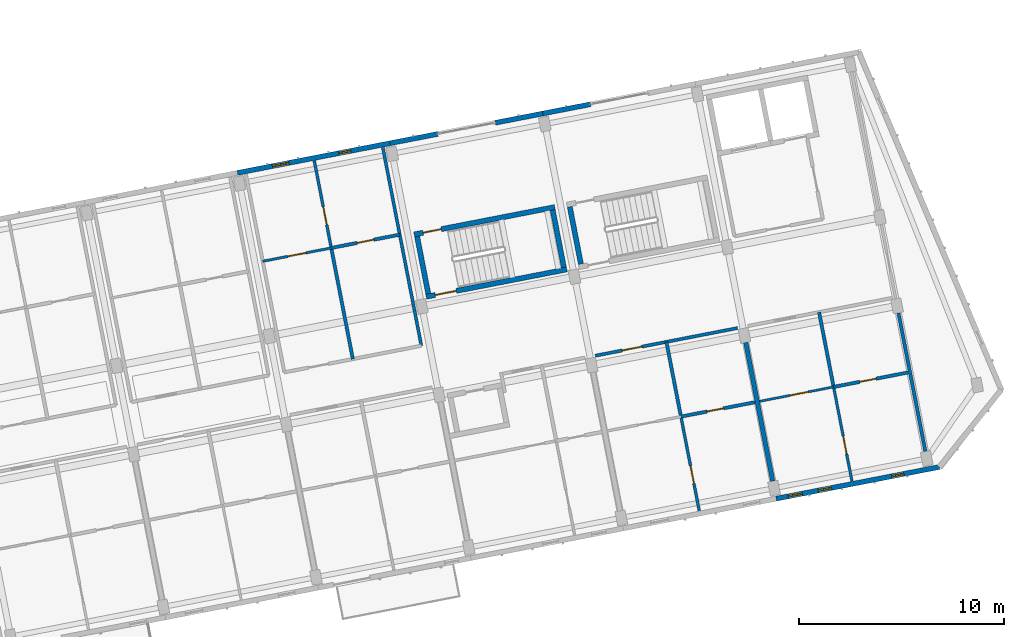
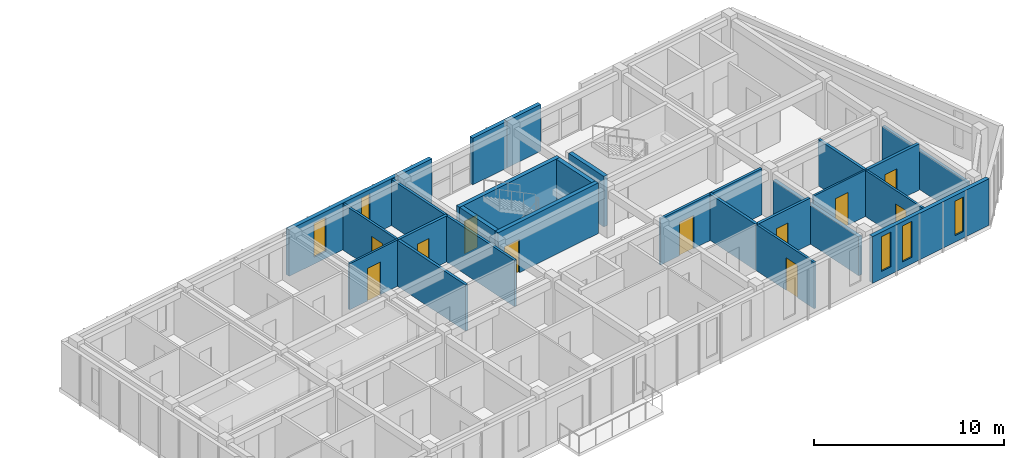
# One storey, part 35 of 66: 25 walls, 11 doors, 5 windows, 16 openings.
"""IFC4 building model written with IfcOpenShell, lengths in metres."""

from ifc_helpers import new_model, si_unit, direction, frame, frame_2d, origin, place, context, subcontext, project, spatial, rectangle, extrude, material, layer, layer_set, type_object, element, fill, save


model = new_model("IFC4")

# Units and contexts
model_context = context("Model", 3, precision=1e-05, world=origin(), true_north=direction((0.0, 1.0)))
body_context = subcontext(model_context, "Body", "Model", "MODEL_VIEW")
ifc_project = project(units=[si_unit("LENGTHUNIT", "METRE"), si_unit("AREAUNIT", "SQUARE_METRE"), si_unit("VOLUMEUNIT", "CUBIC_METRE"), si_unit("PLANEANGLEUNIT", "RADIAN"), si_unit("MASSUNIT", "GRAM", prefix="KILO")], contexts=[model_context])

# Site, building, storey
site_placement = place(None, origin())
site = spatial("IfcSite", under=ifc_project, at=site_placement, CompositionType="ELEMENT")
building_placement = place(site_placement, origin())
building = spatial("IfcBuilding", under=site, at=building_placement, Name="Kestramere Prow Commons", CompositionType="ELEMENT")
storey_placement = place(building_placement, frame((0.0, 0.0, 14.89990234375)))
storey = spatial("IfcBuildingStorey", under=building, at=storey_placement, Name="L04", CompositionType="ELEMENT", Elevation=14.89990234375)

# Wall, openings, windows
ifc_material_1 = material(Name="Fluoropolymer Standing-Seam Zinc-Aluminium Cladding", Category="aluminium")
ifc_layer_1 = layer(ifc_material_1, 0.239990234375)
ifc_layer_set_1 = layer_set([ifc_layer_1], Name="Fluoropolymer Standing-Seam Zinc-Aluminium Cladding")
wall_type_1 = type_object("IfcWallType", Name="EW-SEAM-240", PredefinedType="SOLIDWALL", material=ifc_layer_set_1)
wall_1_placement = place(storey_placement, frame((163.77783203125, 42.28564453125, 0.0), z_axis=(0.0, 0.0, 1.0), x_axis=(-0.981628367112, -0.190802905848, 0.0)))
wall_1 = element("IfcWall", 1, at=wall_1_placement, inside=storey, type_object=wall_type_1, Name="Block D L04 South Standing-Seam Wall 6", PredefinedType="SOLIDWALL", context=body_context, shape_type="SweptSolid", body=[
    extrude(rectangle(XDim=8.125, YDim=0.239990234375, at=frame_2d((4.0625, 0.0))), origin(), (0.0, 0.0, 1.0), 3.0),
])
opening_1_placement = place(wall_1_placement, frame((1.77294921875, 0.0, 0.419921875)))
opening_1 = element("IfcOpeningElement", 2, at=opening_1_placement, cuts=wall_1, Name="Opening WN-02", PredefinedType="OPENING", context=body_context, shape_type="SweptSolid", body=[
    extrude(rectangle(XDim=0.60009765625, YDim=2.219970703125, at=frame_2d((0.300048828125, 1.10986328125))), frame((0.0, 0.135009765625, 0.0), z_axis=(0.0, -1.0, 0.0), x_axis=(1.0, 0.0, 0.0)), (0.0, 0.0, 1.0), 0.27001953125),
])
opening_2_placement = place(wall_1_placement, frame((5.373046875, 0.0, 0.419921875)))
opening_2 = element("IfcOpeningElement", 3, at=opening_2_placement, cuts=wall_1, Name="Opening WN-05", PredefinedType="OPENING", context=body_context, shape_type="SweptSolid", body=[
    extrude(rectangle(XDim=0.659912109375, YDim=2.320068359375, at=frame_2d((0.330078125, 1.16015625))), frame((0.0, 0.135009765625, 0.0), z_axis=(0.0, -1.0, 0.0), x_axis=(1.0, 0.0, 0.0)), (0.0, 0.0, 1.0), 0.27001953125),
])
opening_3_placement = place(wall_1_placement, frame((6.8349609375, 0.0, 0.47998046875)))
opening_3 = element("IfcOpeningElement", 4, at=opening_3_placement, cuts=wall_1, Name="Opening WN-06", PredefinedType="OPENING", context=body_context, shape_type="SweptSolid", body=[
    extrude(rectangle(XDim=0.679931640625, YDim=2.239990234375, at=frame_2d((0.33984375, 1.1201171875))), frame((0.0, 0.135009765625, 0.0), z_axis=(0.0, -1.0, 0.0), x_axis=(1.0, 0.0, 0.0)), (0.0, 0.0, 1.0), 0.27001953125),
])
ifc_material_2 = material(Name="Low-E Laminated Double Glazing", Category="glass")
window_type_1 = type_object("IfcWindowType", Name="WN-NAR-600A", PartitioningType="SINGLE_PANEL", PredefinedType="WINDOW", material=ifc_material_2)
window_1_placement = place(opening_1_placement, origin())
window_1 = element("IfcWindow", 5, at=window_1_placement, inside=storey, type_object=window_type_1, Name="WN-D-L04-S-5-00", OverallHeight=2.219970703125, OverallWidth=0.60009765625, PartitioningType="SINGLE_PANEL", PredefinedType="WINDOW", context=body_context, shape_type="SweptSolid", body=[
    extrude(rectangle(XDim=0.60009765625, YDim=2.219970703125, at=frame_2d((0.300048828125, 1.10986328125))), frame((0.0, 0.030029296875, 0.0), z_axis=(0.0, -1.0, 0.0), x_axis=(1.0, 0.0, 0.0)), (0.0, 0.0, 1.0), 0.06005859375),
])
fill(opening_1, window_1)
window_type_2 = type_object("IfcWindowType", Name="WN-NAR-660A", PartitioningType="SINGLE_PANEL", PredefinedType="WINDOW", material=ifc_material_2)
window_2_placement = place(opening_2_placement, origin())
window_2 = element("IfcWindow", 6, at=window_2_placement, inside=storey, type_object=window_type_2, Name="WN-D-L04-S-5-10", OverallHeight=2.320068359375, OverallWidth=0.659912109375, PartitioningType="SINGLE_PANEL", PredefinedType="WINDOW", context=body_context, shape_type="SweptSolid", body=[
    extrude(rectangle(XDim=0.659912109375, YDim=2.320068359375, at=frame_2d((0.330078125, 1.16015625))), frame((0.0, 0.030029296875, 0.0), z_axis=(0.0, -1.0, 0.0), x_axis=(1.0, 0.0, 0.0)), (0.0, 0.0, 1.0), 0.06005859375),
])
fill(opening_2, window_2)
window_type_3 = type_object("IfcWindowType", Name="WN-NAR-680A", PartitioningType="SINGLE_PANEL", PredefinedType="WINDOW", material=ifc_material_2)
window_3_placement = place(opening_3_placement, origin())
window_3 = element("IfcWindow", 7, at=window_3_placement, inside=storey, type_object=window_type_3, Name="WN-D-L04-S-5-11", OverallHeight=2.239990234375, OverallWidth=0.679931640625, PartitioningType="SINGLE_PANEL", PredefinedType="WINDOW", context=body_context, shape_type="SweptSolid", body=[
    extrude(rectangle(XDim=0.679931640625, YDim=2.239990234375, at=frame_2d((0.33984375, 1.1201171875))), frame((0.0, 0.030029296875, 0.0), z_axis=(0.0, -1.0, 0.0), x_axis=(1.0, 0.0, 0.0)), (0.0, 0.0, 1.0), 0.06005859375),
])
fill(opening_3, window_3)

wall_2_placement = place(storey_placement, frame((129.480712890625, 56.655517578125, 0.0), z_axis=(0.0, 0.0, 1.0), x_axis=(0.981626422232, 0.190812911449, 0.0)))
wall_2 = element("IfcWall", 8, at=wall_2_placement, inside=storey, type_object=wall_type_1, Name="Block D L04 North Standing-Seam Wall 3", PredefinedType="SOLIDWALL", context=body_context, shape_type="SweptSolid", body=[
    extrude(rectangle(XDim=7.60009765625, YDim=0.239990234375, at=frame_2d((3.800048828125, 0.0))), origin(), (0.0, 0.0, 1.0), 3.0),
])
opening_4_placement = place(wall_2_placement, frame((1.7451171875, 0.0, 0.43994140625)))
opening_4 = element("IfcOpeningElement", 9, at=opening_4_placement, cuts=wall_2, Name="Opening WN-13", PredefinedType="OPENING", context=body_context, shape_type="SweptSolid", body=[
    extrude(rectangle(XDim=0.820068359375, YDim=2.179931640625, at=frame_2d((0.41015625, 1.08984375))), frame((0.0, 0.135009765625, 0.0), z_axis=(0.0, -1.0, 0.0), x_axis=(1.0, 0.0, 0.0)), (0.0, 0.0, 1.0), 0.27001953125),
])
opening_5_placement = place(wall_2_placement, frame((5.049560546875, 0.0, 0.5)))
opening_5 = element("IfcOpeningElement", 10, at=opening_5_placement, cuts=wall_2, Name="Opening WN-02", PredefinedType="OPENING", context=body_context, shape_type="SweptSolid", body=[
    extrude(rectangle(XDim=0.60009765625, YDim=2.219970703125, at=frame_2d((0.300048828125, 1.10986328125))), frame((0.0, 0.135009765625, 0.0), z_axis=(0.0, -1.0, 0.0), x_axis=(1.0, 0.0, 0.0)), (0.0, 0.0, 1.0), 0.27001953125),
])
window_4_placement = place(opening_5_placement, origin())
window_4 = element("IfcWindow", 11, at=window_4_placement, inside=storey, type_object=window_type_1, Name="WN-D-L04-N-2-1", OverallHeight=2.219970703125, OverallWidth=0.60009765625, PartitioningType="SINGLE_PANEL", PredefinedType="WINDOW", context=body_context, shape_type="SweptSolid", body=[
    extrude(rectangle(XDim=0.60009765625, YDim=2.219970703125, at=frame_2d((0.300048828125, 1.10986328125))), frame((0.0, 0.030029296875, 0.0), z_axis=(0.0, -1.0, 0.0), x_axis=(1.0, 0.0, 0.0)), (0.0, 0.0, 1.0), 0.06005859375),
])
fill(opening_5, window_4)
window_type_4 = type_object("IfcWindowType", Name="WN-NAR-820A", PartitioningType="DOUBLE_PANEL_VERTICAL", PredefinedType="WINDOW", material=ifc_material_2)
window_5_placement = place(opening_4_placement, origin())
window_5 = element("IfcWindow", 12, at=window_5_placement, inside=storey, type_object=window_type_4, Name="WN-D-L04-N-2-0", OverallHeight=2.179931640625, OverallWidth=0.820068359375, PartitioningType="SINGLE_PANEL", PredefinedType="WINDOW", context=body_context, shape_type="SweptSolid", body=[
    extrude(rectangle(XDim=0.820068359375, YDim=2.179931640625, at=frame_2d((0.41015625, 1.08984375))), frame((0.0, 0.030029296875, 0.0), z_axis=(0.0, -1.0, 0.0), x_axis=(1.0, 0.0, 0.0)), (0.0, 0.0, 1.0), 0.06005859375),
])
fill(opening_4, window_5)

# Walls
for number, where, z_axis, x_axis, name in (
    (13, (136.941162109375, 58.105712890625, 0.0), (0.0, 0.0, 1.0), (0.981629832251, 0.190795367961, 0.0), "Block D L04 North Standing-Seam Pier 4L"),
    (14, (142.070068359375, 59.102783203125, 0.0), (0.0, 0.0, 1.0), (0.981629832251, 0.190795367961, 0.0), "Block D L04 North Standing-Seam Pier 4R"),
):
    element("IfcWall", number, at=place(storey_placement, frame(where, z_axis=z_axis, x_axis=x_axis)), inside=storey, type_object=wall_type_1, Name=name, PredefinedType="SOLIDWALL", context=body_context, shape_type="SweptSolid", body=[
        extrude(rectangle(XDim=2.375, YDim=0.239990234375, at=frame_2d((1.1875, 0.0))), origin(), (0.0, 0.0, 1.0), 3.0),
    ])
wall_3_placement = place(storey_placement, frame((144.4013671875, 59.555908203125, 0.0), z_axis=(0.0, 0.0, 1.0), x_axis=(0.981633573872, 0.190776116556, 0.0)))
element("IfcWall", 15, at=wall_3_placement, inside=storey, type_object=wall_type_1, Name="Block D L04 North Standing-Seam Pier 5L", PredefinedType="SOLIDWALL", context=body_context, shape_type="SweptSolid", body=[
    extrude(rectangle(XDim=2.375244140625, YDim=0.239990234375, at=frame_2d((1.1875, 0.0))), origin(), (0.0, 0.0, 1.0), 3.0),
])

# Wall, opening, door
ifc_material_3 = material(Name="Concrete C40/50", Category="concrete")
ifc_layer_2 = layer(ifc_material_3, 0.25)
ifc_layer_set_2 = layer_set([ifc_layer_2], Name="Concrete C40/50")
wall_type_2 = type_object("IfcWallType", Name="W-CORE-250", PredefinedType="SHEAR", material=ifc_layer_set_2)
wall_4_placement = place(storey_placement, frame((138.11328125, 53.6474609375, 0.0), z_axis=(0.0, 0.0, 1.0), x_axis=(0.981626097708, 0.19081458094, 0.0)))
wall_4 = element("IfcWall", 16, at=wall_4_placement, inside=storey, type_object=wall_type_2, Name="ST-D1 L04 North Shaft Wall", PredefinedType="SHEAR", context=body_context, shape_type="SweptSolid", body=[
    extrude(rectangle(XDim=7.0, YDim=0.25, at=frame_2d((3.5, 0.0))), origin(), (0.0, 0.0, 1.0), 3.25),
])
opening_6_placement = place(wall_4_placement, frame((0.449951171875, 0.0, 0.0)))
opening_6 = element("IfcOpeningElement", 17, at=opening_6_placement, cuts=wall_4, Name="Opening ID-08", PredefinedType="OPENING", context=body_context, shape_type="SweptSolid", body=[
    extrude(rectangle(XDim=0.89990234375, YDim=2.10009765625, at=frame_2d((0.449951171875, 1.050048828125))), frame((0.0, 0.139892578125, 0.0), z_axis=(0.0, -1.0, 0.0), x_axis=(1.0, 0.0, 0.0)), (0.0, 0.0, 1.0), 0.280029296875),
])
ifc_material_4 = material(Name="Engineered Timber Flush Door", Category="wood")
door_type_1 = type_object("IfcDoorType", Name="D-RM-01", OperationType="NOTDEFINED", PredefinedType="DOOR", material=ifc_material_4)
door_1_placement = place(opening_6_placement, origin())
door_1 = element("IfcDoor", 18, at=door_1_placement, inside=storey, type_object=door_type_1, Name="ST-D1 L04 North Room Door", OperationType="SINGLE_SWING_RIGHT", OverallHeight=2.10009765625, OverallWidth=0.89990234375, PredefinedType="DOOR", context=body_context, shape_type="SweptSolid", body=[
    extrude(rectangle(XDim=0.89990234375, YDim=2.10009765625, at=frame_2d((0.449951171875, 1.050048828125))), frame((0.0, 0.02490234375, 0.0), z_axis=(0.0, -1.0, 0.0), x_axis=(1.0, 0.0, 0.0)), (0.0, 0.0, 1.0), 0.050048828125),
])
fill(opening_6, door_1)

wall_5_placement = place(storey_placement, frame((138.704833984375, 50.6044921875, 0.0), z_axis=(0.0, 0.0, 1.0), x_axis=(0.981626097708, 0.19081458094, 0.0)))
wall_5 = element("IfcWall", 19, at=wall_5_placement, inside=storey, type_object=wall_type_2, Name="ST-D1 L04 Corridor Shaft Wall", PredefinedType="SHEAR", context=body_context, shape_type="SweptSolid", body=[
    extrude(rectangle(XDim=7.0, YDim=0.25, at=frame_2d((3.5, 0.0))), origin(), (0.0, 0.0, 1.0), 3.25),
])
opening_7_placement = place(wall_5_placement, frame((0.449951171875, 0.0, 0.0)))
opening_7 = element("IfcOpeningElement", 20, at=opening_7_placement, cuts=wall_5, Name="Opening ID-01", PredefinedType="OPENING", context=body_context, shape_type="SweptSolid", body=[
    extrude(rectangle(XDim=1.050048828125, YDim=2.14990234375, at=frame_2d((0.52490234375, 1.074951171875))), frame((0.0, 0.139892578125, 0.0), z_axis=(0.0, -1.0, 0.0), x_axis=(1.0, 0.0, 0.0)), (0.0, 0.0, 1.0), 0.280029296875),
])
ifc_material_5 = material(Name="Fire-Rated Timber and Steel Frame", Category="steel")
door_type_2 = type_object("IfcDoorType", Name="FD-ST-01", OperationType="NOTDEFINED", PredefinedType="DOOR", material=ifc_material_5)
door_2_placement = place(opening_7_placement, origin())
door_2 = element("IfcDoor", 21, at=door_2_placement, inside=storey, type_object=door_type_2, Name="ST-D1 L04 Protected Stair Door", OperationType="SINGLE_SWING_LEFT", OverallHeight=2.14990234375, OverallWidth=1.050048828125, PredefinedType="DOOR", context=body_context, shape_type="SweptSolid", body=[
    extrude(rectangle(XDim=1.050048828125, YDim=2.14990234375, at=frame_2d((0.52490234375, 1.074951171875))), frame((0.0, 0.02490234375, 0.0), z_axis=(0.0, -1.0, 0.0), x_axis=(1.0, 0.0, 0.0)), (0.0, 0.0, 1.0), 0.050048828125),
])
fill(opening_7, door_2)

# Walls
wall_6_placement = place(storey_placement, frame((138.8037109375, 50.7509765625, 0.0), z_axis=(0.0, 0.0, 1.0), x_axis=(-0.190858194834, 0.981617618762, 0.0)))
element("IfcWall", 22, at=wall_6_placement, inside=storey, type_object=wall_type_2, Name="ST-D1 L04 Near Shaft Wall", PredefinedType="SHEAR", context=body_context, shape_type="SweptSolid", body=[
    extrude(rectangle(XDim=2.85009765625, YDim=0.25, at=frame_2d((1.425048828125, 0.0))), origin(), (0.0, 0.0, 1.0), 3.25),
])
wall_7_placement = place(storey_placement, frame((145.4296875, 52.038818359375, 0.0), z_axis=(0.0, 0.0, 1.0), x_axis=(-0.190842147128, 0.981620738819, 0.0)))
element("IfcWall", 23, at=wall_7_placement, inside=storey, type_object=wall_type_2, Name="ST-D1 L04 Far Shaft Wall", PredefinedType="SHEAR", context=body_context, shape_type="SweptSolid", body=[
    extrude(rectangle(XDim=2.850341796875, YDim=0.25, at=frame_2d((1.42529296875, 0.0))), origin(), (0.0, 0.0, 1.0), 3.25),
])
wall_8_placement = place(storey_placement, frame((146.263916015625, 52.201171875, 0.0), z_axis=(0.0, 0.0, 1.0), x_axis=(-0.190775649797, 0.981633664584, 0.0)))
element("IfcWall", 24, at=wall_8_placement, inside=storey, type_object=wall_type_2, Name="ST-D2 L04 Near Shaft Wall", PredefinedType="SHEAR", context=body_context, shape_type="SweptSolid", body=[
    extrude(rectangle(XDim=2.849853515625, YDim=0.25, at=frame_2d((1.4248046875, 0.0))), origin(), (0.0, 0.0, 1.0), 3.25),
])

# Wall, opening, door
ifc_material_6 = material(Name="Fire-Rated Calcium Silicate Wall")
ifc_layer_3 = layer(ifc_material_6, 0.155029296875)
ifc_layer_set_3 = layer_set([ifc_layer_3], Name="Fire-Rated Calcium Silicate Wall")
wall_type_3 = type_object("IfcWallType", Name="W-FIRE-150", PredefinedType="PARTITIONING", material=ifc_layer_set_3)
wall_9_placement = place(storey_placement, frame((146.96630859375, 47.722900390625, 0.0), z_axis=(0.0, 0.0, 1.0), x_axis=(0.981629923556, 0.190794898199, 0.0)))
wall_9 = element("IfcWall", 25, at=wall_9_placement, inside=storey, type_object=wall_type_3, Name="Interior Partition PW-D-L04-CS-4", PredefinedType="PARTITIONING", context=body_context, shape_type="SweptSolid", body=[
    extrude(rectangle(XDim=7.080078125, YDim=0.155029296875, at=frame_2d((3.5400390625, 0.0))), origin(), (0.0, 0.0, 1.0), 2.97021484375),
])
opening_8_placement = place(wall_9_placement, frame((1.330078125, 0.0, 0.0)))
opening_8 = element("IfcOpeningElement", 26, at=opening_8_placement, cuts=wall_9, Name="Opening ID-04", PredefinedType="OPENING", context=body_context, shape_type="SweptSolid", body=[
    extrude(rectangle(XDim=0.97998046875, YDim=2.14990234375, at=frame_2d((0.489990234375, 1.074951171875))), frame((0.0, 0.092529296875, 0.0), z_axis=(0.0, -1.0, 0.0), x_axis=(1.0, 0.0, 0.0)), (0.0, 0.0, 1.0), 0.18505859375),
])
ifc_material_7 = material(Name="Hardwood Fire-Rated Flat Entrance Door", Category="wood")
door_type_3 = type_object("IfcDoorType", Name="FD-ENT-01", OperationType="NOTDEFINED", PredefinedType="DOOR", material=ifc_material_7)
door_3_placement = place(opening_8_placement, origin())
door_3 = element("IfcDoor", 27, at=door_3_placement, inside=storey, type_object=door_type_3, Name="Interior Door DR-D-L04-ENT-S4", OperationType="SINGLE_SWING_LEFT", OverallHeight=2.14990234375, OverallWidth=0.97998046875, PredefinedType="DOOR", context=body_context, shape_type="SweptSolid", body=[
    extrude(rectangle(XDim=0.97998046875, YDim=2.14990234375, at=frame_2d((0.489990234375, 1.074951171875))), frame((0.0, 0.02490234375, 0.0), z_axis=(0.0, -1.0, 0.0), x_axis=(1.0, 0.0, 0.0)), (0.0, 0.0, 1.0), 0.050048828125),
])
fill(opening_8, door_3)

ifc_material_8 = material(Name="Gypsum Acoustic Drywall")
ifc_layer_4 = layer(ifc_material_8, 0.110107421875)
ifc_layer_set_4 = layer_set([ifc_layer_4], Name="Gypsum Acoustic Drywall")
wall_type_4 = type_object("IfcWallType", Name="W-PART-110", PredefinedType="PARTITIONING", material=ifc_layer_set_4)
wall_10_placement = place(storey_placement, frame((154.994140625, 45.49365234375, 0.0), z_axis=(0.0, 0.0, 1.0), x_axis=(0.981628834294, 0.190800502313, 0.0)))
wall_10 = element("IfcWall", 28, at=wall_10_placement, inside=storey, type_object=wall_type_4, Name="Interior Partition PW-D-L04-MIDS1-5", PredefinedType="PARTITIONING", context=body_context, shape_type="SweptSolid", body=[
    extrude(rectangle(XDim=3.68505859375, YDim=0.110107421875, at=frame_2d((1.842529296875, 0.0))), origin(), (0.0, 0.0, 1.0), 2.97021484375),
])
opening_9_placement = place(wall_10_placement, frame((1.52490234375, 0.0, 0.0)))
opening_9 = element("IfcOpeningElement", 29, at=opening_9_placement, cuts=wall_10, Name="Opening ID-08", PredefinedType="OPENING", context=body_context, shape_type="SweptSolid", body=[
    extrude(rectangle(XDim=0.89990234375, YDim=2.10009765625, at=frame_2d((0.449951171875, 1.050048828125))), frame((0.0, 0.070068359375, 0.0), z_axis=(0.0, -1.0, 0.0), x_axis=(1.0, 0.0, 0.0)), (0.0, 0.0, 1.0), 0.14013671875),
])
door_4_placement = place(opening_9_placement, origin())
door_4 = element("IfcDoor", 30, at=door_4_placement, inside=storey, type_object=door_type_1, Name="Interior Door DR-D-L04-KL-S5", OperationType="SINGLE_SWING_RIGHT", OverallHeight=2.10009765625, OverallWidth=0.89990234375, PredefinedType="DOOR", context=body_context, shape_type="SweptSolid", body=[
    extrude(rectangle(XDim=0.89990234375, YDim=2.10009765625, at=frame_2d((0.449951171875, 1.050048828125))), frame((0.0, 0.02490234375, 0.0), z_axis=(0.0, -1.0, 0.0), x_axis=(1.0, 0.0, 0.0)), (0.0, 0.0, 1.0), 0.050048828125),
])
fill(opening_9, door_4)

ifc_material_9 = material(Name="Lightweight Blockwork and Plaster", Category="masonry")
ifc_layer_5 = layer(ifc_material_9, 0.1201171875)
ifc_layer_set_5 = layer_set([ifc_layer_5], Name="Lightweight Blockwork and Plaster")
wall_type_5 = type_object("IfcWallType", Name="W-PART-120", PredefinedType="PARTITIONING", material=ifc_layer_set_5)
wall_11_placement = place(storey_placement, frame((130.71728515625, 52.337158203125, 0.0), z_axis=(0.0, 0.0, 1.0), x_axis=(0.981629173664, 0.190798756314, 0.0)))
wall_11 = element("IfcWall", 31, at=wall_11_placement, inside=storey, type_object=wall_type_5, Name="Interior Partition PW-D-L04-MIDN1-2", PredefinedType="PARTITIONING", context=body_context, shape_type="SweptSolid", body=[
    extrude(rectangle(XDim=3.41015625, YDim=0.1201171875, at=frame_2d((1.705078125, 0.0))), origin(), (0.0, 0.0, 1.0), 2.97021484375),
])
opening_10_placement = place(wall_11_placement, frame((1.2548828125, 0.0, 0.0)))
opening_10 = element("IfcOpeningElement", 32, at=opening_10_placement, cuts=wall_11, Name="Opening ID-08", PredefinedType="OPENING", context=body_context, shape_type="SweptSolid", body=[
    extrude(rectangle(XDim=0.89990234375, YDim=2.10009765625, at=frame_2d((0.449951171875, 1.050048828125))), frame((0.0, 0.074951171875, 0.0), z_axis=(0.0, -1.0, 0.0), x_axis=(1.0, 0.0, 0.0)), (0.0, 0.0, 1.0), 0.150146484375),
])
door_5_placement = place(opening_10_placement, origin())
door_5 = element("IfcDoor", 33, at=door_5_placement, inside=storey, type_object=door_type_1, Name="Interior Door DR-D-L04-KL-N2", OperationType="SINGLE_SWING_LEFT", OverallHeight=2.10009765625, OverallWidth=0.89990234375, PredefinedType="DOOR", context=body_context, shape_type="SweptSolid", body=[
    extrude(rectangle(XDim=0.89990234375, YDim=2.10009765625, at=frame_2d((0.449951171875, 1.050048828125))), frame((0.0, 0.02490234375, 0.0), z_axis=(0.0, -1.0, 0.0), x_axis=(1.0, 0.0, 0.0)), (0.0, 0.0, 1.0), 0.050048828125),
])
fill(opening_10, door_5)

ifc_layer_6 = layer(ifc_material_9, 0.1298828125)
ifc_layer_set_6 = layer_set([ifc_layer_6], Name="Lightweight Blockwork and Plaster")
wall_type_6 = type_object("IfcWallType", Name="W-PART-130", PredefinedType="PARTITIONING", material=ifc_layer_set_6)
wall_12_placement = place(storey_placement, frame((159.50634765625, 41.593017578125, 0.0), z_axis=(0.0, 0.0, 1.0), x_axis=(-0.190787451574, 0.981631370893, 0.0)))
wall_12 = element("IfcWall", 34, at=wall_12_placement, inside=storey, type_object=wall_type_6, Name="Interior Partition PW-D-L04-LB-S5", PredefinedType="PARTITIONING", context=body_context, shape_type="SweptSolid", body=[
    extrude(rectangle(XDim=4.68994140625, YDim=0.1298828125, at=frame_2d((2.344970703125, 0.0))), origin(), (0.0, 0.0, 1.0), 2.97021484375),
])
opening_11_placement = place(wall_12_placement, frame((1.35009765625, 0.0, 0.0)))
opening_11 = element("IfcOpeningElement", 35, at=opening_11_placement, cuts=wall_12, Name="Opening ID-10", PredefinedType="OPENING", context=body_context, shape_type="SweptSolid", body=[
    extrude(rectangle(XDim=0.8798828125, YDim=2.10009765625, at=frame_2d((0.43994140625, 1.050048828125))), frame((0.0, 0.079833984375, 0.0), z_axis=(0.0, -1.0, 0.0), x_axis=(1.0, 0.0, 0.0)), (0.0, 0.0, 1.0), 0.159912109375),
])
ifc_material_10 = material(Name="Engineered Timber Bedroom Door", Category="wood")
door_type_4 = type_object("IfcDoorType", Name="D-RM-03", OperationType="NOTDEFINED", PredefinedType="DOOR", material=ifc_material_10)
door_6_placement = place(opening_11_placement, origin())
door_6 = element("IfcDoor", 36, at=door_6_placement, inside=storey, type_object=door_type_4, Name="Interior Door DR-D-L04-BED-S5", OperationType="SINGLE_SWING_RIGHT", OverallHeight=2.10009765625, OverallWidth=0.8798828125, PredefinedType="DOOR", context=body_context, shape_type="SweptSolid", body=[
    extrude(rectangle(XDim=0.8798828125, YDim=2.10009765625, at=frame_2d((0.43994140625, 1.050048828125))), frame((0.0, 0.02490234375, 0.0), z_axis=(0.0, -1.0, 0.0), x_axis=(1.0, 0.0, 0.0)), (0.0, 0.0, 1.0), 0.050048828125),
])
fill(opening_11, door_6)

ifc_material_11 = material(Name="Masonry Compartment Wall", Category="masonry")
ifc_layer_7 = layer(ifc_material_11, 0.139892578125)
ifc_layer_set_7 = layer_set([ifc_layer_7], Name="Masonry Compartment Wall")
wall_type_7 = type_object("IfcWallType", Name="W-PART-140", PredefinedType="PARTITIONING", material=ifc_layer_set_7)
wall_13_placement = place(storey_placement, frame((152.046142578125, 40.142822265625, 0.0), z_axis=(0.0, 0.0, 1.0), x_axis=(-0.190837612577, 0.981621620394, 0.0)))
wall_13 = element("IfcWall", 37, at=wall_13_placement, inside=storey, type_object=wall_type_7, Name="Interior Partition PW-D-L04-LB-S4", PredefinedType="PARTITIONING", context=body_context, shape_type="SweptSolid", body=[
    extrude(rectangle(XDim=4.68994140625, YDim=0.139892578125, at=frame_2d((2.344970703125, 0.0))), origin(), (0.0, 0.0, 1.0), 2.97021484375),
])
opening_12_placement = place(wall_13_placement, frame((1.35009765625, 0.0, 0.0)))
opening_12 = element("IfcOpeningElement", 38, at=opening_12_placement, cuts=wall_13, Name="Opening ID-08", PredefinedType="OPENING", context=body_context, shape_type="SweptSolid", body=[
    extrude(rectangle(XDim=0.89990234375, YDim=2.10009765625, at=frame_2d((0.449951171875, 1.050048828125))), frame((0.0, 0.0849609375, 0.0), z_axis=(0.0, -1.0, 0.0), x_axis=(1.0, 0.0, 0.0)), (0.0, 0.0, 1.0), 0.169921875),
])
door_7_placement = place(opening_12_placement, origin())
door_7 = element("IfcDoor", 39, at=door_7_placement, inside=storey, type_object=door_type_1, Name="Interior Door DR-D-L04-BED-S4", OperationType="SINGLE_SWING_LEFT", OverallHeight=2.10009765625, OverallWidth=0.89990234375, PredefinedType="DOOR", context=body_context, shape_type="SweptSolid", body=[
    extrude(rectangle(XDim=0.89990234375, YDim=2.10009765625, at=frame_2d((0.449951171875, 1.050048828125))), frame((0.0, 0.02490234375, 0.0), z_axis=(0.0, -1.0, 0.0), x_axis=(1.0, 0.0, 0.0)), (0.0, 0.0, 1.0), 0.050048828125),
])
fill(opening_12, door_7)

wall_14_placement = place(storey_placement, frame((134.064697265625, 52.98779296875, 0.0), z_axis=(0.0, 0.0, 1.0), x_axis=(-0.190812443151, 0.981626513262, 0.0)))
wall_14 = element("IfcWall", 40, at=wall_14_placement, inside=storey, type_object=wall_type_7, Name="Interior Partition PW-D-L04-LB-N2", PredefinedType="PARTITIONING", context=body_context, shape_type="SweptSolid", body=[
    extrude(rectangle(XDim=4.340087890625, YDim=0.139892578125, at=frame_2d((2.169921875, 0.0))), origin(), (0.0, 0.0, 1.0), 2.97021484375),
])
opening_13_placement = place(wall_14_placement, frame((1.14990234375, 0.0, 0.0)))
opening_13 = element("IfcOpeningElement", 41, at=opening_13_placement, cuts=wall_14, Name="Opening ID-08", PredefinedType="OPENING", context=body_context, shape_type="SweptSolid", body=[
    extrude(rectangle(XDim=0.89990234375, YDim=2.10009765625, at=frame_2d((0.449951171875, 1.050048828125))), frame((0.0, 0.0849609375, 0.0), z_axis=(0.0, -1.0, 0.0), x_axis=(1.0, 0.0, 0.0)), (0.0, 0.0, 1.0), 0.169921875),
])
door_8_placement = place(opening_13_placement, origin())
door_8 = element("IfcDoor", 42, at=door_8_placement, inside=storey, type_object=door_type_1, Name="Interior Door DR-D-L04-BED-N2", OperationType="SINGLE_SWING_LEFT", OverallHeight=2.10009765625, OverallWidth=0.89990234375, PredefinedType="DOOR", context=body_context, shape_type="SweptSolid", body=[
    extrude(rectangle(XDim=0.89990234375, YDim=2.10009765625, at=frame_2d((0.449951171875, 1.050048828125))), frame((0.0, 0.02490234375, 0.0), z_axis=(0.0, -1.0, 0.0), x_axis=(1.0, 0.0, 0.0)), (0.0, 0.0, 1.0), 0.050048828125),
])
fill(opening_13, door_8)

# Walls
ifc_layer_8 = layer(ifc_material_11, 0.14990234375)
ifc_layer_set_8 = layer_set([ifc_layer_8], Name="Masonry Compartment Wall")
wall_type_8 = type_object("IfcWallType", Name="W-PART-150", PredefinedType="PARTITIONING", material=ifc_layer_set_8)
wall_15_placement = place(storey_placement, frame((138.46728515625, 48.210205078125, 0.0), z_axis=(0.0, 0.0, 1.0), x_axis=(-0.190814044018, 0.981626202078, 0.0)))
element("IfcWall", 43, at=wall_15_placement, inside=storey, type_object=wall_type_8, Name="Interior Partition PW-D-L04-NWR-2", PredefinedType="PARTITIONING", context=body_context, shape_type="SweptSolid", body=[
    extrude(rectangle(XDim=9.869873046875, YDim=0.14990234375, at=frame_2d((4.93505859375, 0.0))), origin(), (0.0, 0.0, 1.0), 2.97021484375),
])
ifc_material_12 = material(Name="Waterproof Sanitary Masonry Wall", Category="masonry")
ifc_layer_9 = layer(ifc_material_12, 0.1650390625)
ifc_layer_set_9 = layer_set([ifc_layer_9], Name="Waterproof Sanitary Masonry Wall")
wall_type_9 = type_object("IfcWallType", Name="W-PLUMB-150", PredefinedType="PLUMBINGWALL", material=ifc_layer_set_9)
wall_16_placement = place(storey_placement, frame((163.093505859375, 43.05419921875, 0.0), z_axis=(0.0, 0.0, 1.0), x_axis=(-0.190804123115, 0.981628130507, 0.0)))
element("IfcWall", 44, at=wall_16_placement, inside=storey, type_object=wall_type_9, Name="Interior Partition PW-D-L04-PRWE-S", PredefinedType="PLUMBINGWALL", context=body_context, shape_type="SweptSolid", body=[
    extrude(rectangle(XDim=6.880126953125, YDim=0.1650390625, at=frame_2d((3.43994140625, 0.0))), origin(), (0.0, 0.0, 1.0), 2.5),
])

# Wall, opening, door
wall_17_placement = place(storey_placement, frame((151.151123046875, 44.74658203125, 0.0), z_axis=(0.0, 0.0, 1.0), x_axis=(0.981628834294, 0.190800502313, 0.0)))
wall_17 = element("IfcWall", 45, at=wall_17_placement, inside=storey, type_object=wall_type_9, Name="Interior Partition PW-D-L04-MIDS2-4", PredefinedType="PLUMBINGWALL", context=body_context, shape_type="SweptSolid", body=[
    extrude(rectangle(XDim=3.68505859375, YDim=0.1650390625, at=frame_2d((1.842529296875, 0.0))), origin(), (0.0, 0.0, 1.0), 2.97021484375),
])
opening_14_placement = place(wall_17_placement, frame((1.300048828125, 0.0, 0.0)))
opening_14 = element("IfcOpeningElement", 46, at=opening_14_placement, cuts=wall_17, Name="Opening ID-11", PredefinedType="OPENING", context=body_context, shape_type="SweptSolid", body=[
    extrude(rectangle(XDim=0.820068359375, YDim=2.080078125, at=frame_2d((0.41015625, 1.0400390625))), frame((0.0, 0.097412109375, 0.0), z_axis=(0.0, -1.0, 0.0), x_axis=(1.0, 0.0, 0.0)), (0.0, 0.0, 1.0), 0.195068359375),
])
ifc_material_13 = material(Name="Moisture-Resistant Timber Bathroom Door", Category="wood")
door_type_5 = type_object("IfcDoorType", Name="D-BT-01", OperationType="NOTDEFINED", PredefinedType="DOOR", material=ifc_material_13)
door_9_placement = place(opening_14_placement, origin())
door_9 = element("IfcDoor", 47, at=door_9_placement, inside=storey, type_object=door_type_5, Name="Interior Door DR-D-L04-BTH-S4", OperationType="SINGLE_SWING_LEFT", OverallHeight=2.080078125, OverallWidth=0.820068359375, PredefinedType="DOOR", context=body_context, shape_type="SweptSolid", body=[
    extrude(rectangle(XDim=0.820068359375, YDim=2.080078125, at=frame_2d((0.41015625, 1.0400390625))), frame((0.0, 0.02490234375, 0.0), z_axis=(0.0, -1.0, 0.0), x_axis=(1.0, 0.0, 0.0)), (0.0, 0.0, 1.0), 0.050048828125),
])
fill(opening_14, door_9)

# Wall
wall_18_placement = place(storey_placement, frame((151.151123046875, 44.74658203125, 0.0), z_axis=(0.0, 0.0, 1.0), x_axis=(-0.190774805453, 0.981633828678, 0.0)))
element("IfcWall", 48, at=wall_18_placement, inside=storey, type_object=wall_type_9, Name="Interior Partition PW-D-L04-KB-S4", PredefinedType="PLUMBINGWALL", context=body_context, shape_type="SweptSolid", body=[
    extrude(rectangle(XDim=3.72021484375, YDim=0.1650390625, at=frame_2d((1.860107421875, 0.0))), origin(), (0.0, 0.0, 1.0), 2.97021484375),
])

# Wall, opening, door
wall_19_placement = place(storey_placement, frame((158.611572265625, 46.19677734375, 0.0), z_axis=(0.0, 0.0, 1.0), x_axis=(0.981621896267, 0.190836193549, 0.0)))
wall_19 = element("IfcWall", 49, at=wall_19_placement, inside=storey, type_object=wall_type_9, Name="Interior Partition PW-D-L04-MIDS2-5", PredefinedType="PLUMBINGWALL", context=body_context, shape_type="SweptSolid", body=[
    extrude(rectangle(XDim=3.7099609375, YDim=0.1650390625, at=frame_2d((1.85498046875, 0.0))), origin(), (0.0, 0.0, 1.0), 2.97021484375),
])
opening_15_placement = place(wall_19_placement, frame((1.300048828125, 0.0, 0.0)))
opening_15 = element("IfcOpeningElement", 50, at=opening_15_placement, cuts=wall_19, Name="Opening ID-11", PredefinedType="OPENING", context=body_context, shape_type="SweptSolid", body=[
    extrude(rectangle(XDim=0.820068359375, YDim=2.080078125, at=frame_2d((0.41015625, 1.0400390625))), frame((0.0, 0.097412109375, 0.0), z_axis=(0.0, -1.0, 0.0), x_axis=(1.0, 0.0, 0.0)), (0.0, 0.0, 1.0), 0.195068359375),
])
door_10_placement = place(opening_15_placement, origin())
door_10 = element("IfcDoor", 51, at=door_10_placement, inside=storey, type_object=door_type_5, Name="Interior Door DR-D-L04-BTH-S5", OperationType="SINGLE_SWING_LEFT", OverallHeight=2.080078125, OverallWidth=0.820068359375, PredefinedType="DOOR", context=body_context, shape_type="SweptSolid", body=[
    extrude(rectangle(XDim=0.820068359375, YDim=2.080078125, at=frame_2d((0.41015625, 1.0400390625))), frame((0.0, 0.02490234375, 0.0), z_axis=(0.0, -1.0, 0.0), x_axis=(1.0, 0.0, 0.0)), (0.0, 0.0, 1.0), 0.050048828125),
])
fill(opening_15, door_10)

# Wall
wall_20_placement = place(storey_placement, frame((158.611572265625, 46.19677734375, 0.0), z_axis=(0.0, 0.0, 1.0), x_axis=(-0.190850336204, 0.981619146701, 0.0)))
element("IfcWall", 52, at=wall_20_placement, inside=storey, type_object=wall_type_9, Name="Interior Partition PW-D-L04-KB-S5", PredefinedType="PLUMBINGWALL", context=body_context, shape_type="SweptSolid", body=[
    extrude(rectangle(XDim=3.719970703125, YDim=0.1650390625, at=frame_2d((1.85986328125, 0.0))), origin(), (0.0, 0.0, 1.0), 2.97021484375),
])

# Wall, opening, door
wall_21_placement = place(storey_placement, frame((134.064697265625, 52.98779296875, 0.0), z_axis=(0.0, 0.0, 1.0), x_axis=(0.981629173664, 0.190798756314, 0.0)))
wall_21 = element("IfcWall", 53, at=wall_21_placement, inside=storey, type_object=wall_type_9, Name="Interior Partition PW-D-L04-MIDN2-2", PredefinedType="PLUMBINGWALL", context=body_context, shape_type="SweptSolid", body=[
    extrude(rectangle(XDim=3.41015625, YDim=0.1650390625, at=frame_2d((1.705078125, 0.0))), origin(), (0.0, 0.0, 1.0), 2.97021484375),
])
opening_16_placement = place(wall_21_placement, frame((1.294921875, 0.0, 0.0)))
opening_16 = element("IfcOpeningElement", 54, at=opening_16_placement, cuts=wall_21, Name="Opening ID-11", PredefinedType="OPENING", context=body_context, shape_type="SweptSolid", body=[
    extrude(rectangle(XDim=0.820068359375, YDim=2.080078125, at=frame_2d((0.41015625, 1.0400390625))), frame((0.0, 0.097412109375, 0.0), z_axis=(0.0, -1.0, 0.0), x_axis=(1.0, 0.0, 0.0)), (0.0, 0.0, 1.0), 0.195068359375),
])
door_11_placement = place(opening_16_placement, origin())
door_11 = element("IfcDoor", 55, at=door_11_placement, inside=storey, type_object=door_type_5, Name="Interior Door DR-D-L04-BTH-N2", OperationType="SINGLE_SWING_RIGHT", OverallHeight=2.080078125, OverallWidth=0.820068359375, PredefinedType="DOOR", context=body_context, shape_type="SweptSolid", body=[
    extrude(rectangle(XDim=0.820068359375, YDim=2.080078125, at=frame_2d((0.41015625, 1.0400390625))), frame((0.0, 0.02490234375, 0.0), z_axis=(0.0, -1.0, 0.0), x_axis=(1.0, 0.0, 0.0)), (0.0, 0.0, 1.0), 0.050048828125),
])
fill(opening_16, door_11)

# Walls
wall_22_placement = place(storey_placement, frame((135.119873046875, 47.559326171875, 0.0), z_axis=(0.0, 0.0, 1.0), x_axis=(-0.190807031124, 0.981627565258, 0.0)))
element("IfcWall", 56, at=wall_22_placement, inside=storey, type_object=wall_type_9, Name="Interior Partition PW-D-L04-KB-N2", PredefinedType="PLUMBINGWALL", context=body_context, shape_type="SweptSolid", body=[
    extrude(rectangle(XDim=5.530029296875, YDim=0.1650390625, at=frame_2d((2.76513671875, 0.0))), origin(), (0.0, 0.0, 1.0), 2.97021484375),
])
ifc_material_14 = material(Name="Precast concrete C40/50", Category="concrete")
ifc_layer_10 = layer(ifc_material_14, 0.219970703125)
ifc_layer_set_10 = layer_set([ifc_layer_10], Name="Precast concrete C40/50")
wall_type_10 = type_object("IfcWallType", Name="W-XWALL-220", PredefinedType="SHEAR", material=ifc_layer_set_10)
wall_23_placement = place(storey_placement, frame((155.635009765625, 41.59423828125, 0.0), z_axis=(0.0, 0.0, 1.0), x_axis=(-0.190819465253, 0.981625148252, 0.0)))
element("IfcWall", 57, at=wall_23_placement, inside=storey, type_object=wall_type_10, Name="Block D L04 Precast Cross-Wall 5", PredefinedType="SHEAR", context=body_context, shape_type="SweptSolid", body=[
    extrude(rectangle(XDim=6.89990234375, YDim=0.219970703125, at=frame_2d((3.449951171875, 0.0))), origin(), (0.0, 0.0, 1.0), 2.5),
])

save(model, "model.ifc")
